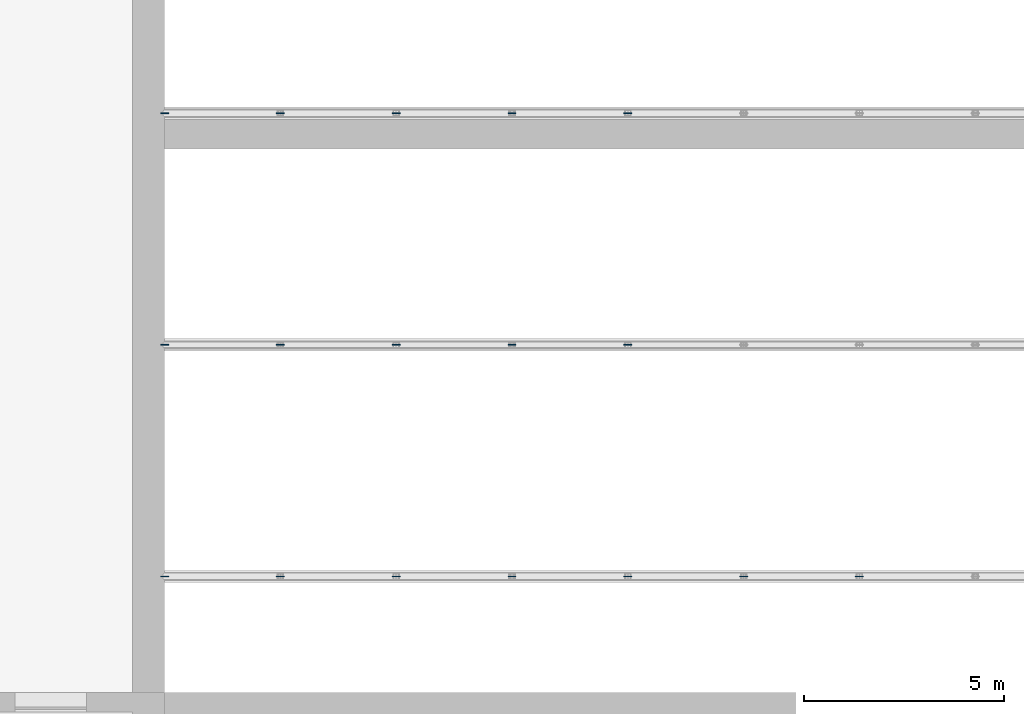
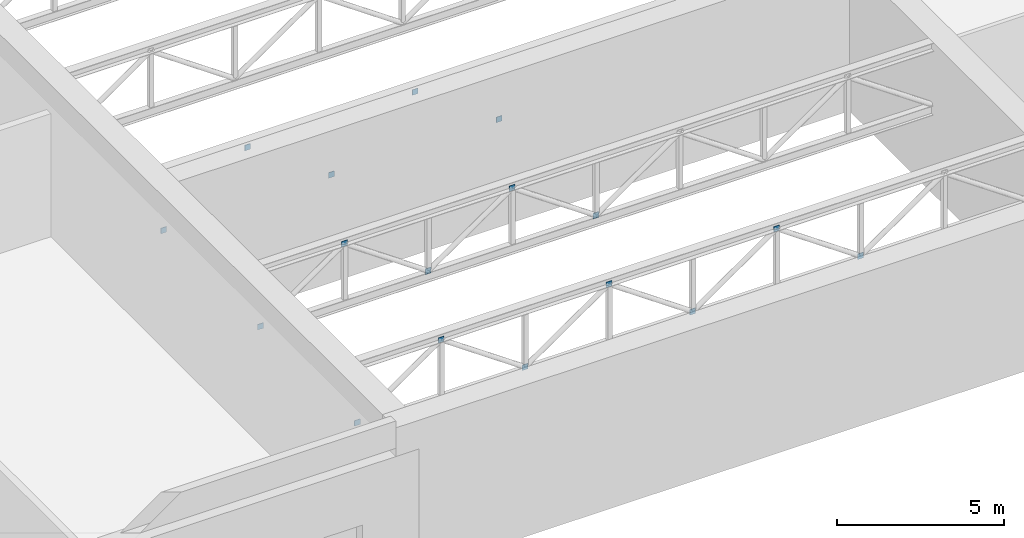
# One storey, part 10 of 35: 17 plates.
"""IFC4 building model written with IfcOpenShell, lengths in metres."""

from ifc_helpers import new_model, si_unit, direction, frame, origin, origin_2d, place, context, subcontext, project, spatial, rectangle, extrude, material, layer, layer_set, type_object, element, save


model = new_model("IFC4")

# Units and contexts
model_context = context("Model", 3, precision=1e-05, world=origin(), true_north=direction((0.0, 1.0)))
body_context = subcontext(model_context, "Body", "Model", "MODEL_VIEW")
ifc_project = project(units=[si_unit("LENGTHUNIT", "METRE"), si_unit("AREAUNIT", "SQUARE_METRE"), si_unit("VOLUMEUNIT", "CUBIC_METRE"), si_unit("PLANEANGLEUNIT", "RADIAN"), si_unit("MASSUNIT", "GRAM", prefix="KILO")], contexts=[model_context])

# Site, building, storey
site_placement = place(None, origin())
site = spatial("IfcSite", under=ifc_project, at=site_placement, CompositionType="ELEMENT")
building_placement = place(site_placement, origin())
building = spatial("IfcBuilding", under=site, at=building_placement, Name="Kiln Ring Residences", CompositionType="ELEMENT")
storey_placement = place(building_placement, frame((0.0, 0.0, 20.89990234375)))
storey = spatial("IfcBuildingStorey", under=building, at=storey_placement, Name="L04", CompositionType="ELEMENT", Elevation=20.89990234375)

# Plates
ifc_material = material(Name="Steel S460", Category="steel")
ifc_layer = layer(ifc_material, 0.02001953125)
ifc_layer_set = layer_set([ifc_layer], Name="Brace gusset plate 20")
plate_type = type_object("IfcPlateType", Name="Brace gusset plate 20", PredefinedType="SHEET", material=ifc_layer_set)
for number, where, z_axis, x_axis, name in (
    (1, (-11.60009765625, -156.300048828125, 3.125), (0.0, 0.0, 1.0), (1.0, 0.0, 0.0), "Brace gusset plate 1.0"),
    (2, (-8.699951171875, -156.300048828125, 5.14208984375), (0.0, 0.0, 1.0), (1.0, 0.0, 0.0), "Brace gusset plate 1.1"),
    (3, (-5.800048828125, -156.300048828125, 3.125), (0.0, 0.0, 1.0), (1.0, 0.0, 0.0), "Brace gusset plate 1.2"),
    (4, (-2.89990234375, -156.300048828125, 5.14208984375), (0.0, 0.0, 1.0), (1.0, 0.0, 0.0), "Brace gusset plate 1.3"),
    (5, (0.0, -156.300048828125, 3.125), (0.0, 0.0, 1.0), (1.0, 0.0, 0.0), "Brace gusset plate 1.4"),
    (6, (2.89990234375, -156.300048828125, 5.14208984375), (0.0, 0.0, 1.0), (1.0, 0.0, 0.0), "Brace gusset plate 1.5"),
    (7, (5.800048828125, -156.300048828125, 3.125), (0.0, 0.0, 1.0), (1.0, 0.0, 0.0), "Brace gusset plate 1.6"),
    (8, (-11.60009765625, -150.5, 3.125), (0.0, 0.0, 1.0), (1.0, 0.0, 0.0), "Brace gusset plate 2.0"),
    (9, (-8.699951171875, -150.5, 5.14208984375), (0.0, 0.0, 1.0), (1.0, 0.0, 0.0), "Brace gusset plate 2.1"),
    (10, (-5.800048828125, -150.5, 3.125), (0.0, 0.0, 1.0), (1.0, 0.0, 0.0), "Brace gusset plate 2.2"),
    (11, (-2.89990234375, -150.5, 5.14208984375), (0.0, 0.0, 1.0), (1.0, 0.0, 0.0), "Brace gusset plate 2.3"),
    (12, (0.0, -150.5, 3.125), (0.0, 0.0, 1.0), (1.0, 0.0, 0.0), "Brace gusset plate 2.4"),
    (13, (-11.60009765625, -144.699951171875, 3.125), (0.0, 0.0, 1.0), (1.0, 0.0, 0.0), "Brace gusset plate 3.0"),
    (14, (-8.699951171875, -144.699951171875, 5.14208984375), (0.0, 0.0, 1.0), (1.0, 0.0, 0.0), "Brace gusset plate 3.1"),
    (15, (-5.800048828125, -144.699951171875, 3.125), (0.0, 0.0, 1.0), (1.0, 0.0, 0.0), "Brace gusset plate 3.2"),
    (16, (-2.89990234375, -144.699951171875, 5.14208984375), (0.0, 0.0, 1.0), (1.0, 0.0, 0.0), "Brace gusset plate 3.3"),
    (17, (0.0, -144.699951171875, 3.125), (0.0, 0.0, 1.0), (1.0, 0.0, 0.0), "Brace gusset plate 3.4"),
):
    element("IfcPlate", number, at=place(storey_placement, frame(where, z_axis=z_axis, x_axis=x_axis)), inside=storey, type_object=plate_type, Name=name, PredefinedType="SHEET", context=body_context, shape_type="SweptSolid", body=[
        extrude(rectangle(XDim=0.199951171875, YDim=0.02001953125, at=origin_2d()), origin(), (0.0, 0.0, 1.0), 0.199951171875),
    ])

save(model, "model.ifc")
